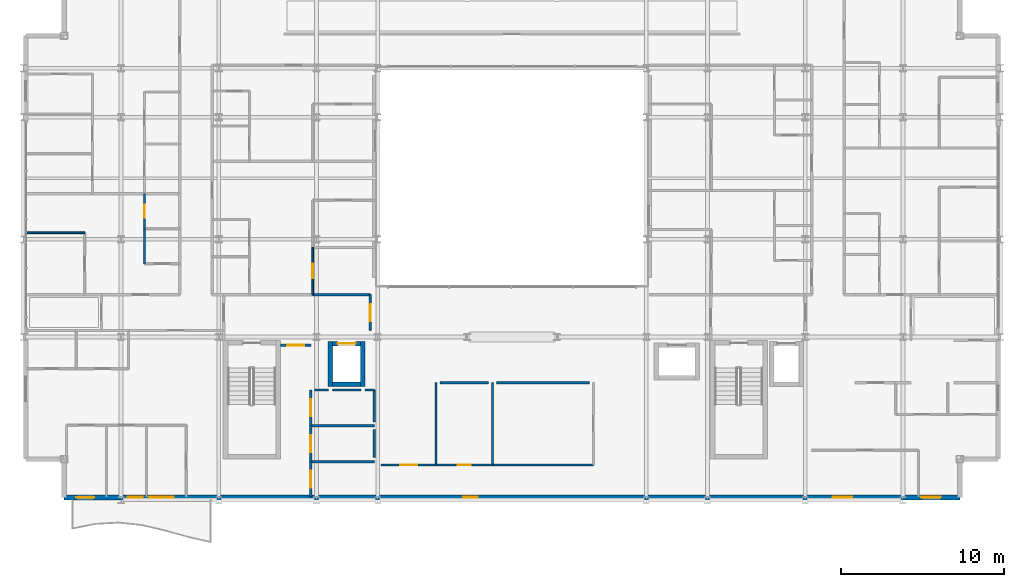
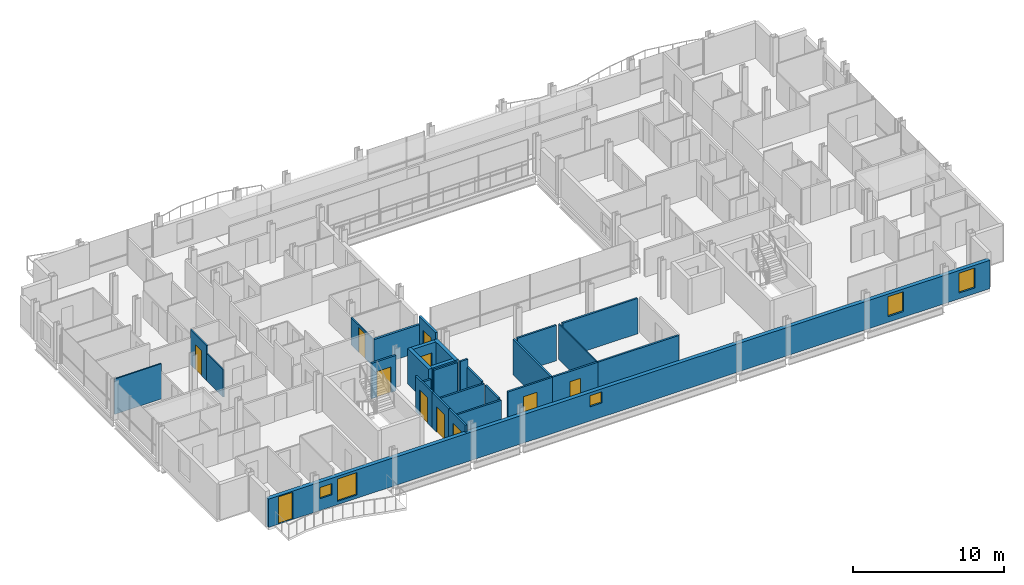
# One storey, part 32 of 40: 29 walls, 11 doors, 5 windows, 16 openings.
"""IFC4 building model written with IfcOpenShell, lengths in metres."""

from ifc_helpers import new_model, si_unit, direction, frame, frame_2d, origin, place, context, subcontext, project, spatial, rectangle, extrude, material, layer, layer_set, type_object, element, fill, save


model = new_model("IFC4")

# Units and contexts
model_context = context("Model", 3, precision=1e-05, world=origin(), true_north=direction((0.0, 1.0)))
body_context = subcontext(model_context, "Body", "Model", "MODEL_VIEW")
ifc_project = project(units=[si_unit("LENGTHUNIT", "METRE"), si_unit("AREAUNIT", "SQUARE_METRE"), si_unit("VOLUMEUNIT", "CUBIC_METRE"), si_unit("PLANEANGLEUNIT", "RADIAN"), si_unit("MASSUNIT", "GRAM", prefix="KILO")], contexts=[model_context])

# Site, building, storey
site_placement = place(None, origin())
site = spatial("IfcSite", under=ifc_project, at=site_placement, CompositionType="ELEMENT")
building_placement = place(site_placement, origin())
building = spatial("IfcBuilding", under=site, at=building_placement, Name="Brevholm Reach", CompositionType="ELEMENT")
storey_placement = place(building_placement, frame((0.0, 0.0, 131.39990234375)))
storey = spatial("IfcBuildingStorey", under=building, at=storey_placement, Name="L39", CompositionType="ELEMENT", Elevation=131.39990234375)

# Walls
ifc_material_1 = material(Name="Concrete C50/60", Category="concrete")
ifc_layer_1 = layer(ifc_material_1, 0.280029296875)
ifc_layer_set_1 = layer_set([ifc_layer_1], Name="Concrete C50/60")
wall_type_1 = type_object("IfcWallType", Name="WAL-COR-280", PredefinedType="SHEAR", material=ifc_layer_set_1)
for number, where, z_axis, x_axis, name in (
    (1, (18.85009765625, 6.9599609375, 0.0), (0.0, 0.0, 1.0), (0.0, 1.0, 0.0), "L39 Lift FFL-1 Shaft Wall W"),
    (2, (20.85009765625, 6.9599609375, 0.0), (0.0, 0.0, 1.0), (0.0, 1.0, 0.0), "L39 Lift FFL-1 Shaft Wall E"),
):
    element("IfcWall", number, at=place(storey_placement, frame(where, z_axis=z_axis, x_axis=x_axis)), inside=storey, type_object=wall_type_1, Name=name, PredefinedType="SHEAR", context=body_context, shape_type="SweptSolid", body=[
        extrude(rectangle(XDim=2.780029296875, YDim=0.280029296875, at=frame_2d((1.39013671875, 0.0))), origin(), (0.0, 0.0, 1.0), 2.85009765625),
    ])
wall_1_placement = place(storey_placement, frame((18.989990234375, 7.10009765625, 0.0), z_axis=(0.0, 0.0, 1.0), x_axis=(1.0, 0.0, 0.0)))
element("IfcWall", 3, at=wall_1_placement, inside=storey, type_object=wall_type_1, Name="L39 Lift FFL-1 Shaft Wall S", PredefinedType="SHEAR", context=body_context, shape_type="SweptSolid", body=[
    extrude(rectangle(XDim=1.719970703125, YDim=0.280029296875, at=frame_2d((0.85986328125, 0.0))), origin(), (0.0, 0.0, 1.0), 2.85009765625),
])

# Wall, opening, door
wall_2_placement = place(storey_placement, frame((18.989990234375, 9.60009765625, 0.0), z_axis=(0.0, 0.0, 1.0), x_axis=(1.0, 0.0, 0.0)))
wall_2 = element("IfcWall", 4, at=wall_2_placement, inside=storey, type_object=wall_type_1, Name="L39 Lift FFL-1 Shaft Wall N", PredefinedType="SHEAR", context=body_context, shape_type="SweptSolid", body=[
    extrude(rectangle(XDim=1.719970703125, YDim=0.280029296875, at=frame_2d((0.85986328125, 0.0))), origin(), (0.0, 0.0, 1.0), 2.85009765625),
])
opening_1_placement = place(wall_2_placement, frame((0.31005859375, 0.0, 0.0)))
opening_1 = element("IfcOpeningElement", 5, at=opening_1_placement, cuts=wall_2, Name="Opening LD-FFL-1", PredefinedType="OPENING", context=body_context, shape_type="SweptSolid", body=[
    extrude(rectangle(XDim=1.10009765625, YDim=2.06005859375, at=frame_2d((0.550048828125, 1.030029296875))), frame((0.0, 0.14990234375, 0.0), z_axis=(0.0, -1.0, 0.0), x_axis=(1.0, 0.0, 0.0)), (0.0, 0.0, 1.0), 0.300048828125),
])
ifc_material_2 = material(Name="Brushed Stainless Steel Fire-Rated Sliding Lift Door", Category="steel")
door_type_1 = type_object("IfcDoorType", Name="DOR-LFT-1100", OperationType="NOTDEFINED", PredefinedType="DOOR", material=ifc_material_2)
door_1_placement = place(opening_1_placement, origin())
door_1 = element("IfcDoor", 6, at=door_1_placement, inside=storey, type_object=door_type_1, Name="L39 Lift FFL-1 Sliding Landing Door", OperationType="SLIDING_TO_LEFT", OverallHeight=2.06005859375, OverallWidth=1.10009765625, PredefinedType="DOOR", context=body_context, shape_type="SweptSolid", body=[
    extrude(rectangle(XDim=1.10009765625, YDim=2.06005859375, at=frame_2d((0.550048828125, 1.030029296875))), frame((0.0, 0.02490234375, 0.0), z_axis=(0.0, -1.0, 0.0), x_axis=(1.0, 0.0, 0.0)), (0.0, 0.0, 1.0), 0.050048828125),
])
fill(opening_1, door_1)

# Wall, openings, door, windows
ifc_material_3 = material(Name="Concrete C40/50", Category="concrete")
ifc_layer_2 = layer(ifc_material_3, 0.300048828125)
ifc_layer_set_2 = layer_set([ifc_layer_2], Name="Concrete C40/50")
wall_type_2 = type_object("IfcWallType", Name="WAL-EXT-300", PredefinedType="STANDARD", material=ifc_layer_set_2)
wall_3_placement = place(storey_placement, frame((2.5, 0.14990234375, 0.0), z_axis=(0.0, 0.0, 1.0), x_axis=(1.0, 0.0, 0.0)))
wall_3 = element("IfcWall", 7, at=wall_3_placement, inside=storey, type_object=wall_type_2, Name="L39 Facade Wall WAL-L39-S", PredefinedType="STANDARD", context=body_context, shape_type="SweptSolid", body=[
    extrude(rectangle(XDim=55.0, YDim=0.300048828125, at=frame_2d((27.5, 0.0))), origin(), (0.0, 0.0, 1.0), 2.28564453125),
])
opening_2_placement = place(wall_3_placement, frame((0.75, 0.0, 0.0)))
opening_2 = element("IfcOpeningElement", 8, at=opening_2_placement, cuts=wall_3, Name="Opening BD-01", PredefinedType="OPENING", context=body_context, shape_type="SweptSolid", body=[
    extrude(rectangle(XDim=1.10009765625, YDim=2.199951171875, at=frame_2d((0.550048828125, 1.10009765625))), frame((0.0, 0.159912109375, 0.0), z_axis=(0.0, -1.0, 0.0), x_axis=(1.0, 0.0, 0.0)), (0.0, 0.0, 1.0), 0.320068359375),
])
opening_3_placement = place(wall_3_placement, frame((5.22998046875, 0.0, 0.264892578125)))
opening_3 = element("IfcOpeningElement", 9, at=opening_3_placement, cuts=wall_3, Name="Opening WN-05", PredefinedType="OPENING", context=body_context, shape_type="SweptSolid", body=[
    extrude(rectangle(XDim=1.5, YDim=1.800048828125, at=frame_2d((0.75, 0.89990234375))), frame((0.0, 0.159912109375, 0.0), z_axis=(0.0, -1.0, 0.0), x_axis=(1.0, 0.0, 0.0)), (0.0, 0.0, 1.0), 0.320068359375),
])
opening_4_placement = place(wall_3_placement, frame((24.5, 0.0, 1.14990234375)))
opening_4 = element("IfcOpeningElement", 10, at=opening_4_placement, cuts=wall_3, Name="Opening WN-09", PredefinedType="OPENING", context=body_context, shape_type="SweptSolid", body=[
    extrude(rectangle(XDim=0.89990234375, YDim=0.89990234375, at=frame_2d((0.449951171875, 0.449951171875))), frame((0.0, 0.159912109375, 0.0), z_axis=(0.0, -1.0, 0.0), x_axis=(1.0, 0.0, 0.0)), (0.0, 0.0, 1.0), 0.320068359375),
])
opening_5_placement = place(wall_3_placement, frame((47.199951171875, 0.0, 0.465087890625)))
opening_5 = element("IfcOpeningElement", 11, at=opening_5_placement, cuts=wall_3, Name="Opening WN-08", PredefinedType="OPENING", context=body_context, shape_type="SweptSolid", body=[
    extrude(rectangle(XDim=1.199951171875, YDim=1.60009765625, at=frame_2d((0.60009765625, 0.800048828125))), frame((0.0, 0.159912109375, 0.0), z_axis=(0.0, -1.0, 0.0), x_axis=(1.0, 0.0, 0.0)), (0.0, 0.0, 1.0), 0.320068359375),
])
opening_6_placement = place(wall_3_placement, frame((52.6298828125, 0.0, 0.465087890625)))
opening_6 = element("IfcOpeningElement", 12, at=opening_6_placement, cuts=wall_3, Name="Opening WN-08", PredefinedType="OPENING", context=body_context, shape_type="SweptSolid", body=[
    extrude(rectangle(XDim=1.199951171875, YDim=1.60009765625, at=frame_2d((0.60009765625, 0.800048828125))), frame((0.0, 0.159912109375, 0.0), z_axis=(0.0, -1.0, 0.0), x_axis=(1.0, 0.0, 0.0)), (0.0, 0.0, 1.0), 0.320068359375),
])
opening_7_placement = place(wall_3_placement, frame((3.919189453125, 0.0, 0.949951171875)))
opening_7 = element("IfcOpeningElement", 13, at=opening_7_placement, cuts=wall_3, Name="Opening WN-09", PredefinedType="OPENING", context=body_context, shape_type="SweptSolid", body=[
    extrude(rectangle(XDim=0.89990234375, YDim=0.89990234375, at=frame_2d((0.449951171875, 0.449951171875))), frame((0.0, 0.159912109375, 0.0), z_axis=(0.0, -1.0, 0.0), x_axis=(1.0, 0.0, 0.0)), (0.0, 0.0, 1.0), 0.320068359375),
])
ifc_material_4 = material(Name="Dark Anodised Aluminium and Triple-Glazed Glass", Category="aluminium")
door_type_2 = type_object("IfcDoorType", Name="DOR-BALC-1100", OperationType="NOTDEFINED", PredefinedType="DOOR", material=ifc_material_4)
door_2_placement = place(opening_2_placement, origin())
door_2 = element("IfcDoor", 14, at=door_2_placement, inside=storey, type_object=door_type_2, Name="L39 Exterior Door DOR-L39-BL-SW", OperationType="SINGLE_SWING_RIGHT", OverallHeight=2.199951171875, OverallWidth=1.10009765625, PredefinedType="DOOR", context=body_context, shape_type="SweptSolid", body=[
    extrude(rectangle(XDim=1.10009765625, YDim=2.199951171875, at=frame_2d((0.550048828125, 1.10009765625))), frame((0.0, 0.02490234375, 0.0), z_axis=(0.0, -1.0, 0.0), x_axis=(1.0, 0.0, 0.0)), (0.0, 0.0, 1.0), 0.050048828125),
])
fill(opening_2, door_2)
ifc_material_5 = material(Name="Dark Anodised Aluminium and Solar-Control IGU Glass", Category="aluminium")
window_type_1 = type_object("IfcWindowType", Name="WIN-POR-0900", PartitioningType="SINGLE_PANEL", PredefinedType="WINDOW", material=ifc_material_5)
window_1_placement = place(opening_4_placement, origin())
window_1 = element("IfcWindow", 15, at=window_1_placement, inside=storey, type_object=window_type_1, Name="L39 Window WIN-L39-S-POR", OverallHeight=0.89990234375, OverallWidth=0.89990234375, PartitioningType="SINGLE_PANEL", PredefinedType="WINDOW", context=body_context, shape_type="SweptSolid", body=[
    extrude(rectangle(XDim=0.89990234375, YDim=0.89990234375, at=frame_2d((0.449951171875, 0.449951171875))), frame((0.0, 0.030029296875, 0.0), z_axis=(0.0, -1.0, 0.0), x_axis=(1.0, 0.0, 0.0)), (0.0, 0.0, 1.0), 0.06005859375),
])
fill(opening_4, window_1)
window_2_placement = place(opening_7_placement, origin())
window_2 = element("IfcWindow", 16, at=window_2_placement, inside=storey, type_object=window_type_1, Name="L39 Bedroom Window 045", OverallHeight=0.89990234375, OverallWidth=0.89990234375, PartitioningType="SINGLE_PANEL", PredefinedType="WINDOW", context=body_context, shape_type="SweptSolid", body=[
    extrude(rectangle(XDim=0.89990234375, YDim=0.89990234375, at=frame_2d((0.449951171875, 0.449951171875))), frame((0.0, 0.030029296875, 0.0), z_axis=(0.0, -1.0, 0.0), x_axis=(1.0, 0.0, 0.0)), (0.0, 0.0, 1.0), 0.06005859375),
])
fill(opening_7, window_2)
ifc_material_6 = material(Name="Dark Anodised Aluminium and Solar-Control IGU Glass", Category="aluminium")
window_type_2 = type_object("IfcWindowType", Name="WIN-RES-1200", PartitioningType="SINGLE_PANEL", PredefinedType="WINDOW", material=ifc_material_6)
window_3_placement = place(opening_5_placement, origin())
window_3 = element("IfcWindow", 17, at=window_3_placement, inside=storey, type_object=window_type_2, Name="L39 Window WIN-L39-S-E1", OverallHeight=1.60009765625, OverallWidth=1.199951171875, PartitioningType="SINGLE_PANEL", PredefinedType="WINDOW", context=body_context, shape_type="SweptSolid", body=[
    extrude(rectangle(XDim=1.199951171875, YDim=1.60009765625, at=frame_2d((0.60009765625, 0.800048828125))), frame((0.0, 0.030029296875, 0.0), z_axis=(0.0, -1.0, 0.0), x_axis=(1.0, 0.0, 0.0)), (0.0, 0.0, 1.0), 0.06005859375),
])
fill(opening_5, window_3)
window_4_placement = place(opening_6_placement, origin())
window_4 = element("IfcWindow", 18, at=window_4_placement, inside=storey, type_object=window_type_2, Name="L39 Window WIN-L39-S-E2", OverallHeight=1.60009765625, OverallWidth=1.199951171875, PartitioningType="SINGLE_PANEL", PredefinedType="WINDOW", context=body_context, shape_type="SweptSolid", body=[
    extrude(rectangle(XDim=1.199951171875, YDim=1.60009765625, at=frame_2d((0.60009765625, 0.800048828125))), frame((0.0, 0.030029296875, 0.0), z_axis=(0.0, -1.0, 0.0), x_axis=(1.0, 0.0, 0.0)), (0.0, 0.0, 1.0), 0.06005859375),
])
fill(opening_6, window_4)
ifc_material_7 = material(Name="Dark Anodised Aluminium and Solar-Control IGU Glass", Category="aluminium")
window_type_3 = type_object("IfcWindowType", Name="WIN-RES-1500", PartitioningType="SINGLE_PANEL", PredefinedType="WINDOW", material=ifc_material_7)
window_5_placement = place(opening_3_placement, origin())
window_5 = element("IfcWindow", 19, at=window_5_placement, inside=storey, type_object=window_type_3, Name="L39 Window WIN-L39-S-W1", OverallHeight=1.800048828125, OverallWidth=1.5, PartitioningType="SINGLE_PANEL", PredefinedType="WINDOW", context=body_context, shape_type="SweptSolid", body=[
    extrude(rectangle(XDim=1.5, YDim=1.800048828125, at=frame_2d((0.75, 0.89990234375))), frame((0.0, 0.030029296875, 0.0), z_axis=(0.0, -1.0, 0.0), x_axis=(1.0, 0.0, 0.0)), (0.0, 0.0, 1.0), 0.06005859375),
])
fill(opening_3, window_5)

# Wall
ifc_material_8 = material(Name="Moisture-Resistant Acoustic Gypsum Stud Partition 100 mm", Category="gypsum")
ifc_layer_3 = layer(ifc_material_8, 0.10009765625)
ifc_layer_set_3 = layer_set([ifc_layer_3], Name="Moisture-Resistant Acoustic Gypsum Stud Partition 100 mm")
wall_type_3 = type_object("IfcWallType", Name="WAL-PRT-100", PredefinedType="PARTITIONING", material=ifc_layer_set_3)
wall_4_placement = place(storey_placement, frame((28.800048828125, 2.154052734375, 0.0), z_axis=(0.0, 0.0, 1.0), x_axis=(0.0, 1.0, 0.0)))
element("IfcWall", 20, at=wall_4_placement, inside=storey, type_object=wall_type_3, Name="L39 Internal Partition 006", PredefinedType="PARTITIONING", context=body_context, shape_type="SweptSolid", body=[
    extrude(rectangle(XDim=5.0458984375, YDim=0.10009765625, at=frame_2d((2.52294921875, 0.0))), origin(), (0.0, 0.0, 1.0), 2.85009765625),
])

# Wall, opening, door
wall_5_placement = place(storey_placement, frame((7.43798828125, 16.64990234375, 0.0), z_axis=(0.0, 0.0, 1.0), x_axis=(0.0, 1.0, 0.0)))
wall_5 = element("IfcWall", 21, at=wall_5_placement, inside=storey, type_object=wall_type_3, Name="L39 Internal Partition 089", PredefinedType="PARTITIONING", context=body_context, shape_type="SweptSolid", body=[
    extrude(rectangle(XDim=2.150146484375, YDim=0.10009765625, at=frame_2d((1.0751953125, 0.0))), origin(), (0.0, 0.0, 1.0), 2.85009765625),
])
opening_8_placement = place(wall_5_placement, frame((0.6650390625, 0.0, 0.0)))
opening_8 = element("IfcOpeningElement", 22, at=opening_8_placement, cuts=wall_5, Name="Opening ID-03", PredefinedType="OPENING", context=body_context, shape_type="SweptSolid", body=[
    extrude(rectangle(XDim=0.820068359375, YDim=2.02001953125, at=frame_2d((0.41015625, 1.010009765625))), frame((0.0, 0.06005859375, 0.0), z_axis=(0.0, -1.0, 0.0), x_axis=(1.0, 0.0, 0.0)), (0.0, 0.0, 1.0), 0.1201171875),
])
ifc_material_9 = material(Name="Moisture-Resistant Painted Timber Internal Bathroom Door", Category="wood")
door_type_3 = type_object("IfcDoorType", Name="DOR-BATH-820", OperationType="NOTDEFINED", PredefinedType="DOOR", material=ifc_material_9)
door_3_placement = place(opening_8_placement, origin())
door_3 = element("IfcDoor", 23, at=door_3_placement, inside=storey, type_object=door_type_3, Name="L39 Internal Door 033", OperationType="SINGLE_SWING_RIGHT", OverallHeight=2.02001953125, OverallWidth=0.820068359375, PredefinedType="DOOR", context=body_context, shape_type="SweptSolid", body=[
    extrude(rectangle(XDim=0.820068359375, YDim=2.02001953125, at=frame_2d((0.41015625, 1.010009765625))), frame((0.0, 0.02490234375, 0.0), z_axis=(0.0, -1.0, 0.0), x_axis=(1.0, 0.0, 0.0)), (0.0, 0.0, 1.0), 0.050048828125),
])
fill(opening_8, door_3)

# Walls
wall_6_placement = place(storey_placement, frame((7.43798828125, 14.5, 0.0), z_axis=(0.0, 0.0, 1.0), x_axis=(0.0, 1.0, 0.0)))
element("IfcWall", 24, at=wall_6_placement, inside=storey, type_object=wall_type_3, Name="L39 Internal Partition 092", PredefinedType="PARTITIONING", context=body_context, shape_type="SweptSolid", body=[
    extrude(rectangle(XDim=2.14599609375, YDim=0.10009765625, at=frame_2d((1.072998046875, 0.0))), origin(), (0.0, 0.0, 1.0), 2.204833984375),
])
wall_7_placement = place(storey_placement, frame((0.199951171875, 16.39990234375, 0.0), z_axis=(0.0, 0.0, 1.0), x_axis=(1.0, 0.0, 0.0)))
element("IfcWall", 25, at=wall_7_placement, inside=storey, type_object=wall_type_3, Name="L39 Internal Partition 094", PredefinedType="PARTITIONING", context=body_context, shape_type="SweptSolid", body=[
    extrude(rectangle(XDim=3.572021484375, YDim=0.10009765625, at=frame_2d((1.7861328125, 0.0))), origin(), (0.0, 0.0, 1.0), 2.85009765625),
])

# Wall, opening, door
wall_8_placement = place(storey_placement, frame((17.76904296875, 12.60400390625, 0.0), z_axis=(0.0, 0.0, 1.0), x_axis=(0.0, 1.0, 0.0)))
wall_8 = element("IfcWall", 26, at=wall_8_placement, inside=storey, type_object=wall_type_3, Name="L39 Internal Partition 112", PredefinedType="PARTITIONING", context=body_context, shape_type="SweptSolid", body=[
    extrude(rectangle(XDim=2.89599609375, YDim=0.10009765625, at=frame_2d((1.447998046875, 0.0))), origin(), (0.0, 0.0, 1.0), 2.204833984375),
])
opening_9_placement = place(wall_8_placement, frame((1.008056640625, 0.0, 0.0)))
opening_9 = element("IfcOpeningElement", 27, at=opening_9_placement, cuts=wall_8, Name="Opening ID-01", PredefinedType="OPENING", context=body_context, shape_type="SweptSolid", body=[
    extrude(rectangle(XDim=0.8798828125, YDim=2.0400390625, at=frame_2d((0.43994140625, 1.02001953125))), frame((0.0, 0.06005859375, 0.0), z_axis=(0.0, -1.0, 0.0), x_axis=(1.0, 0.0, 0.0)), (0.0, 0.0, 1.0), 0.1201171875),
])
ifc_material_10 = material(Name="Lacquered Ash Solid-Core Acoustic Internal Door", Category="timber")
door_type_4 = type_object("IfcDoorType", Name="DOR-INT-880", OperationType="NOTDEFINED", PredefinedType="DOOR", material=ifc_material_10)
door_4_placement = place(opening_9_placement, origin())
door_4 = element("IfcDoor", 28, at=door_4_placement, inside=storey, type_object=door_type_4, Name="L39 Internal Door 043", OperationType="SINGLE_SWING_RIGHT", OverallHeight=2.0400390625, OverallWidth=0.8798828125, PredefinedType="DOOR", context=body_context, shape_type="SweptSolid", body=[
    extrude(rectangle(XDim=0.8798828125, YDim=2.0400390625, at=frame_2d((0.43994140625, 1.02001953125))), frame((0.0, 0.02490234375, 0.0), z_axis=(0.0, -1.0, 0.0), x_axis=(1.0, 0.0, 0.0)), (0.0, 0.0, 1.0), 0.050048828125),
])
fill(opening_9, door_4)

ifc_material_11 = material(Name="Twin-Stud Acoustic Fire-Rated Gypsum Partition 140 mm", Category="gypsum")
ifc_layer_4 = layer(ifc_material_11, 0.139892578125)
ifc_layer_set_4 = layer_set([ifc_layer_4], Name="Twin-Stud Acoustic Fire-Rated Gypsum Partition 140 mm")
wall_type_4 = type_object("IfcWallType", Name="WAL-PRT-140", PredefinedType="PARTITIONING", material=ifc_layer_set_4)
wall_9_placement = place(storey_placement, frame((21.949951171875, 2.14990234375, 0.0), z_axis=(0.0, 0.0, 1.0), x_axis=(1.0, 0.0, 0.0)))
wall_9 = element("IfcWall", 29, at=wall_9_placement, inside=storey, type_object=wall_type_4, Name="L39 Internal Partition 002", PredefinedType="PARTITIONING", context=body_context, shape_type="SweptSolid", body=[
    extrude(rectangle(XDim=3.4013671875, YDim=0.139892578125, at=frame_2d((1.70068359375, 0.0))), origin(), (0.0, 0.0, 1.0), 2.85009765625),
])
opening_10_placement = place(wall_9_placement, frame((1.175537109375, 0.0, 0.0)))
opening_10 = element("IfcOpeningElement", 30, at=opening_10_placement, cuts=wall_9, Name="Opening FD-01", PredefinedType="OPENING", context=body_context, shape_type="SweptSolid", body=[
    extrude(rectangle(XDim=1.050048828125, YDim=2.06005859375, at=frame_2d((0.52490234375, 1.030029296875))), frame((0.0, 0.079833984375, 0.0), z_axis=(0.0, -1.0, 0.0), x_axis=(1.0, 0.0, 0.0)), (0.0, 0.0, 1.0), 0.159912109375),
])
ifc_material_12 = material(Name="Hardwood-Lipped Steel-Core Fire and Smoke Door", Category="steel")
door_type_5 = type_object("IfcDoorType", Name="DOR-INT-FD60S", OperationType="NOTDEFINED", PredefinedType="DOOR", material=ifc_material_12)
door_5_placement = place(opening_10_placement, origin())
door_5 = element("IfcDoor", 31, at=door_5_placement, inside=storey, type_object=door_type_5, Name="L39 Internal Door 002", OperationType="SINGLE_SWING_LEFT", OverallHeight=2.06005859375, OverallWidth=1.050048828125, PredefinedType="DOOR", context=body_context, shape_type="SweptSolid", body=[
    extrude(rectangle(XDim=1.050048828125, YDim=2.06005859375, at=frame_2d((0.52490234375, 1.030029296875))), frame((0.0, 0.02490234375, 0.0), z_axis=(0.0, -1.0, 0.0), x_axis=(1.0, 0.0, 0.0)), (0.0, 0.0, 1.0), 0.050048828125),
])
fill(opening_10, door_5)

wall_10_placement = place(storey_placement, frame((25.332763671875, 2.14990234375, 0.0), z_axis=(0.0, 0.0, 1.0), x_axis=(1.0, 0.0, 0.0)))
wall_10 = element("IfcWall", 32, at=wall_10_placement, inside=storey, type_object=wall_type_4, Name="L39 Internal Partition 003", PredefinedType="PARTITIONING", context=body_context, shape_type="SweptSolid", body=[
    extrude(rectangle(XDim=3.478515625, YDim=0.139892578125, at=frame_2d((1.7392578125, 0.0))), origin(), (0.0, 0.0, 1.0), 2.85009765625),
])
opening_11_placement = place(wall_10_placement, frame((1.329345703125, 0.0, 0.0)))
opening_11 = element("IfcOpeningElement", 33, at=opening_11_placement, cuts=wall_10, Name="Opening ID-02", PredefinedType="OPENING", context=body_context, shape_type="SweptSolid", body=[
    extrude(rectangle(XDim=0.820068359375, YDim=2.02001953125, at=frame_2d((0.41015625, 1.010009765625))), frame((0.0, 0.079833984375, 0.0), z_axis=(0.0, -1.0, 0.0), x_axis=(1.0, 0.0, 0.0)), (0.0, 0.0, 1.0), 0.159912109375),
])
ifc_material_13 = material(Name="Moisture-Resistant Painted Timber Fire-Rated Riser and Service Door", Category="wood")
door_type_6 = type_object("IfcDoorType", Name="DOR-SRV-820", OperationType="NOTDEFINED", PredefinedType="DOOR", material=ifc_material_13)
door_6_placement = place(opening_11_placement, origin())
door_6 = element("IfcDoor", 34, at=door_6_placement, inside=storey, type_object=door_type_6, Name="L39 Internal Door 003", OperationType="SINGLE_SWING_RIGHT", OverallHeight=2.02001953125, OverallWidth=0.820068359375, PredefinedType="DOOR", context=body_context, shape_type="SweptSolid", body=[
    extrude(rectangle(XDim=0.820068359375, YDim=2.02001953125, at=frame_2d((0.41015625, 1.010009765625))), frame((0.0, 0.02490234375, 0.0), z_axis=(0.0, -1.0, 0.0), x_axis=(1.0, 0.0, 0.0)), (0.0, 0.0, 1.0), 0.050048828125),
])
fill(opening_11, door_6)

# Walls
wall_11_placement = place(storey_placement, frame((28.792724609375, 2.14990234375, 0.0), z_axis=(0.0, 0.0, 1.0), x_axis=(1.0, 0.0, 0.0)))
element("IfcWall", 35, at=wall_11_placement, inside=storey, type_object=wall_type_4, Name="L39 Internal Partition 004", PredefinedType="PARTITIONING", context=body_context, shape_type="SweptSolid", body=[
    extrude(rectangle(XDim=6.203369140625, YDim=0.139892578125, at=frame_2d((3.1015625, 0.0))), origin(), (0.0, 0.0, 1.0), 2.85009765625),
])
wall_12_placement = place(storey_placement, frame((25.340087890625, 2.154052734375, 0.0), z_axis=(0.0, 0.0, 1.0), x_axis=(0.0, 1.0, 0.0)))
element("IfcWall", 36, at=wall_12_placement, inside=storey, type_object=wall_type_4, Name="L39 Internal Partition 005", PredefinedType="PARTITIONING", context=body_context, shape_type="SweptSolid", body=[
    extrude(rectangle(XDim=5.0458984375, YDim=0.139892578125, at=frame_2d((2.52294921875, 0.0))), origin(), (0.0, 0.0, 1.0), 2.85009765625),
])

# Wall, opening, door
wall_13_placement = place(storey_placement, frame((17.64990234375, 0.179931640625, 0.0), z_axis=(0.0, 0.0, 1.0), x_axis=(0.0, 1.0, 0.0)))
wall_13 = element("IfcWall", 37, at=wall_13_placement, inside=storey, type_object=wall_type_4, Name="L39 Internal Partition 007", PredefinedType="PARTITIONING", context=body_context, shape_type="SweptSolid", body=[
    extrude(rectangle(XDim=2.181396484375, YDim=0.139892578125, at=frame_2d((1.0908203125, 0.0))), origin(), (0.0, 0.0, 1.0), 2.85009765625),
])
opening_12_placement = place(wall_13_placement, frame((0.565673828125, 0.0, 0.0)))
opening_12 = element("IfcOpeningElement", 38, at=opening_12_placement, cuts=wall_13, Name="Opening FD-01", PredefinedType="OPENING", context=body_context, shape_type="SweptSolid", body=[
    extrude(rectangle(XDim=1.050048828125, YDim=2.06005859375, at=frame_2d((0.52490234375, 1.030029296875))), frame((0.0, 0.079833984375, 0.0), z_axis=(0.0, -1.0, 0.0), x_axis=(1.0, 0.0, 0.0)), (0.0, 0.0, 1.0), 0.159912109375),
])
door_7_placement = place(opening_12_placement, origin())
door_7 = element("IfcDoor", 39, at=door_7_placement, inside=storey, type_object=door_type_5, Name="L39 Internal Door 004", OperationType="SINGLE_SWING_LEFT", OverallHeight=2.06005859375, OverallWidth=1.050048828125, PredefinedType="DOOR", context=body_context, shape_type="SweptSolid", body=[
    extrude(rectangle(XDim=1.050048828125, YDim=2.06005859375, at=frame_2d((0.52490234375, 1.030029296875))), frame((0.0, 0.02490234375, 0.0), z_axis=(0.0, -1.0, 0.0), x_axis=(1.0, 0.0, 0.0)), (0.0, 0.0, 1.0), 0.050048828125),
])
fill(opening_12, door_7)

wall_14_placement = place(storey_placement, frame((17.64990234375, 2.3427734375, 0.0), z_axis=(0.0, 0.0, 1.0), x_axis=(0.0, 1.0, 0.0)))
wall_14 = element("IfcWall", 40, at=wall_14_placement, inside=storey, type_object=wall_type_4, Name="L39 Internal Partition 008", PredefinedType="PARTITIONING", context=body_context, shape_type="SweptSolid", body=[
    extrude(rectangle(XDim=2.218505859375, YDim=0.139892578125, at=frame_2d((1.109375, 0.0))), origin(), (0.0, 0.0, 1.0), 2.85009765625),
])
opening_13_placement = place(wall_14_placement, frame((0.584228515625, 0.0, 0.0)))
opening_13 = element("IfcOpeningElement", 41, at=opening_13_placement, cuts=wall_14, Name="Opening FD-01", PredefinedType="OPENING", context=body_context, shape_type="SweptSolid", body=[
    extrude(rectangle(XDim=1.050048828125, YDim=2.06005859375, at=frame_2d((0.52490234375, 1.030029296875))), frame((0.0, 0.079833984375, 0.0), z_axis=(0.0, -1.0, 0.0), x_axis=(1.0, 0.0, 0.0)), (0.0, 0.0, 1.0), 0.159912109375),
])
door_8_placement = place(opening_13_placement, origin())
door_8 = element("IfcDoor", 42, at=door_8_placement, inside=storey, type_object=door_type_5, Name="L39 Internal Door 005", OperationType="SINGLE_SWING_RIGHT", OverallHeight=2.06005859375, OverallWidth=1.050048828125, PredefinedType="DOOR", context=body_context, shape_type="SweptSolid", body=[
    extrude(rectangle(XDim=1.050048828125, YDim=2.06005859375, at=frame_2d((0.52490234375, 1.030029296875))), frame((0.0, 0.02490234375, 0.0), z_axis=(0.0, -1.0, 0.0), x_axis=(1.0, 0.0, 0.0)), (0.0, 0.0, 1.0), 0.050048828125),
])
fill(opening_13, door_8)

wall_15_placement = place(storey_placement, frame((17.64990234375, 4.542724609375, 0.0), z_axis=(0.0, 0.0, 1.0), x_axis=(0.0, 1.0, 0.0)))
wall_15 = element("IfcWall", 43, at=wall_15_placement, inside=storey, type_object=wall_type_4, Name="L39 Internal Partition 009", PredefinedType="PARTITIONING", context=body_context, shape_type="SweptSolid", body=[
    extrude(rectangle(XDim=2.218505859375, YDim=0.139892578125, at=frame_2d((1.109375, 0.0))), origin(), (0.0, 0.0, 1.0), 2.85009765625),
])
opening_14_placement = place(wall_15_placement, frame((0.584228515625, 0.0, 0.0)))
opening_14 = element("IfcOpeningElement", 44, at=opening_14_placement, cuts=wall_15, Name="Opening FD-01", PredefinedType="OPENING", context=body_context, shape_type="SweptSolid", body=[
    extrude(rectangle(XDim=1.050048828125, YDim=2.06005859375, at=frame_2d((0.52490234375, 1.030029296875))), frame((0.0, 0.079833984375, 0.0), z_axis=(0.0, -1.0, 0.0), x_axis=(1.0, 0.0, 0.0)), (0.0, 0.0, 1.0), 0.159912109375),
])
door_9_placement = place(opening_14_placement, origin())
door_9 = element("IfcDoor", 45, at=door_9_placement, inside=storey, type_object=door_type_5, Name="L39 Internal Door 006", OperationType="SINGLE_SWING_LEFT", OverallHeight=2.06005859375, OverallWidth=1.050048828125, PredefinedType="DOOR", context=body_context, shape_type="SweptSolid", body=[
    extrude(rectangle(XDim=1.050048828125, YDim=2.06005859375, at=frame_2d((0.52490234375, 1.030029296875))), frame((0.0, 0.02490234375, 0.0), z_axis=(0.0, -1.0, 0.0), x_axis=(1.0, 0.0, 0.0)), (0.0, 0.0, 1.0), 0.050048828125),
])
fill(opening_14, door_9)

# Walls
for number, where, z_axis, x_axis, name in (
    (46, (17.654052734375, 2.35009765625, 0.0), (0.0, 0.0, 1.0), (1.0, 0.0, 0.0), "L39 Internal Partition 011"),
    (47, (17.654052734375, 4.550048828125, 0.0), (0.0, 0.0, 1.0), (1.0, 0.0, 0.0), "L39 Internal Partition 012"),
):
    element("IfcWall", number, at=place(storey_placement, frame(where, z_axis=z_axis, x_axis=x_axis)), inside=storey, type_object=wall_type_4, Name=name, PredefinedType="PARTITIONING", context=body_context, shape_type="SweptSolid", body=[
        extrude(rectangle(XDim=3.89599609375, YDim=0.139892578125, at=frame_2d((1.947998046875, 0.0))), origin(), (0.0, 0.0, 1.0), 2.204833984375),
    ])
wall_16_placement = place(storey_placement, frame((25.580078125, 7.199951171875, 0.0), z_axis=(0.0, 0.0, 1.0), x_axis=(1.0, 0.0, 0.0)))
element("IfcWall", 48, at=wall_16_placement, inside=storey, type_object=wall_type_4, Name="L39 Internal Partition 156", PredefinedType="PARTITIONING", context=body_context, shape_type="SweptSolid", body=[
    extrude(rectangle(XDim=2.97998046875, YDim=0.139892578125, at=frame_2d((1.489990234375, 0.0))), origin(), (0.0, 0.0, 1.0), 2.85009765625),
])
wall_17_placement = place(storey_placement, frame((29.0400390625, 7.199951171875, 0.0), z_axis=(0.0, 0.0, 1.0), x_axis=(1.0, 0.0, 0.0)))
element("IfcWall", 49, at=wall_17_placement, inside=storey, type_object=wall_type_4, Name="L39 Internal Partition 157", PredefinedType="PARTITIONING", context=body_context, shape_type="SweptSolid", body=[
    extrude(rectangle(XDim=5.719970703125, YDim=0.139892578125, at=frame_2d((2.85986328125, 0.0))), origin(), (0.0, 0.0, 1.0), 2.85009765625),
])
wall_18_placement = place(storey_placement, frame((21.550048828125, 2.590087890625, 0.0), z_axis=(0.0, 0.0, 1.0), x_axis=(0.0, 1.0, 0.0)))
element("IfcWall", 50, at=wall_18_placement, inside=storey, type_object=wall_type_4, Name="L39 Internal Partition 158", PredefinedType="PARTITIONING", context=body_context, shape_type="SweptSolid", body=[
    extrude(rectangle(XDim=1.719970703125, YDim=0.139892578125, at=frame_2d((0.85986328125, 0.0))), origin(), (0.0, 0.0, 1.0), 2.204833984375),
])
wall_19_placement = place(storey_placement, frame((21.550048828125, 4.7900390625, 0.0), z_axis=(0.0, 0.0, 1.0), x_axis=(0.0, 1.0, 0.0)))
element("IfcWall", 51, at=wall_19_placement, inside=storey, type_object=wall_type_4, Name="L39 Internal Partition 159", PredefinedType="PARTITIONING", context=body_context, shape_type="SweptSolid", body=[
    extrude(rectangle(XDim=1.9599609375, YDim=0.139892578125, at=frame_2d((0.97998046875, 0.0))), origin(), (0.0, 0.0, 1.0), 2.204833984375),
])
wall_20_placement = place(storey_placement, frame((20.9658203125, 6.75, 0.0), z_axis=(0.0, 0.0, 1.0), x_axis=(1.0, 0.0, 0.0)))
element("IfcWall", 52, at=wall_20_placement, inside=storey, type_object=wall_type_4, Name="L39 Internal Partition 160", PredefinedType="PARTITIONING", context=body_context, shape_type="SweptSolid", body=[
    extrude(rectangle(XDim=0.584228515625, YDim=0.139892578125, at=frame_2d((0.2919921875, 0.0))), origin(), (0.0, 0.0, 1.0), 2.85009765625),
])
wall_21_placement = place(storey_placement, frame((18.9658203125, 6.75, 0.0), z_axis=(0.0, 0.0, 1.0), x_axis=(1.0, 0.0, 0.0)))
element("IfcWall", 53, at=wall_21_placement, inside=storey, type_object=wall_type_4, Name="L39 Internal Partition 161", PredefinedType="PARTITIONING", context=body_context, shape_type="SweptSolid", body=[
    extrude(rectangle(XDim=1.768310546875, YDim=0.139892578125, at=frame_2d((0.88427734375, 0.0))), origin(), (0.0, 0.0, 1.0), 2.85009765625),
])
wall_22_placement = place(storey_placement, frame((17.889892578125, 6.75, 0.0), z_axis=(0.0, 0.0, 1.0), x_axis=(1.0, 0.0, 0.0)))
element("IfcWall", 54, at=wall_22_placement, inside=storey, type_object=wall_type_4, Name="L39 Internal Partition 162", PredefinedType="PARTITIONING", context=body_context, shape_type="SweptSolid", body=[
    extrude(rectangle(XDim=0.84423828125, YDim=0.139892578125, at=frame_2d((0.422119140625, 0.0))), origin(), (0.0, 0.0, 1.0), 2.204833984375),
])

# Wall, opening, door
ifc_material_14 = material(Name="Twin-Frame Fire-Rated Gypsum Board and Mineral Wool 160 mm", Category="gypsum")
ifc_layer_5 = layer(ifc_material_14, 0.159912109375)
ifc_layer_set_5 = layer_set([ifc_layer_5], Name="Twin-Frame Fire-Rated Gypsum Board and Mineral Wool 160 mm")
wall_type_5 = type_object("IfcWallType", Name="WAL-PRT-160", PredefinedType="PARTITIONING", material=ifc_layer_set_5)
wall_23_placement = place(storey_placement, frame((15.800048828125, 9.5, 0.0), z_axis=(0.0, 0.0, 1.0), x_axis=(1.0, 0.0, 0.0)))
wall_23 = element("IfcWall", 55, at=wall_23_placement, inside=storey, type_object=wall_type_5, Name="L39 Internal Partition 010", PredefinedType="PARTITIONING", context=body_context, shape_type="SweptSolid", body=[
    extrude(rectangle(XDim=1.849853515625, YDim=0.159912109375, at=frame_2d((0.9248046875, 0.0))), origin(), (0.0, 0.0, 1.0), 2.85009765625),
])
opening_15_placement = place(wall_23_placement, frame((0.39990234375, 0.0, 0.0)))
opening_15 = element("IfcOpeningElement", 56, at=opening_15_placement, cuts=wall_23, Name="Opening FD-01", PredefinedType="OPENING", context=body_context, shape_type="SweptSolid", body=[
    extrude(rectangle(XDim=1.050048828125, YDim=2.06005859375, at=frame_2d((0.52490234375, 1.030029296875))), frame((0.0, 0.08984375, 0.0), z_axis=(0.0, -1.0, 0.0), x_axis=(1.0, 0.0, 0.0)), (0.0, 0.0, 1.0), 0.179931640625),
])
door_10_placement = place(opening_15_placement, origin())
door_10 = element("IfcDoor", 57, at=door_10_placement, inside=storey, type_object=door_type_5, Name="L39 Internal Door 007", OperationType="SINGLE_SWING_RIGHT", OverallHeight=2.06005859375, OverallWidth=1.050048828125, PredefinedType="DOOR", context=body_context, shape_type="SweptSolid", body=[
    extrude(rectangle(XDim=1.050048828125, YDim=2.06005859375, at=frame_2d((0.52490234375, 1.030029296875))), frame((0.0, 0.02490234375, 0.0), z_axis=(0.0, -1.0, 0.0), x_axis=(1.0, 0.0, 0.0)), (0.0, 0.0, 1.0), 0.050048828125),
])
fill(opening_15, door_10)

wall_24_placement = place(storey_placement, frame((21.300048828125, 10.388671875, 0.0), z_axis=(0.0, 0.0, 1.0), x_axis=(0.0, 1.0, 0.0)))
wall_24 = element("IfcWall", 58, at=wall_24_placement, inside=storey, type_object=wall_type_5, Name="L39 Internal Partition 019", PredefinedType="PARTITIONING", context=body_context, shape_type="SweptSolid", body=[
    extrude(rectangle(XDim=2.21142578125, YDim=0.159912109375, at=frame_2d((1.105712890625, 0.0))), origin(), (0.0, 0.0, 1.0), 2.85009765625),
])
opening_16_placement = place(wall_24_placement, frame((0.58056640625, 0.0, 0.0)))
opening_16 = element("IfcOpeningElement", 59, at=opening_16_placement, cuts=wall_24, Name="Opening FD-01", PredefinedType="OPENING", context=body_context, shape_type="SweptSolid", body=[
    extrude(rectangle(XDim=1.050048828125, YDim=2.06005859375, at=frame_2d((0.52490234375, 1.030029296875))), frame((0.0, 0.08984375, 0.0), z_axis=(0.0, -1.0, 0.0), x_axis=(1.0, 0.0, 0.0)), (0.0, 0.0, 1.0), 0.179931640625),
])
door_11_placement = place(opening_16_placement, origin())
door_11 = element("IfcDoor", 60, at=door_11_placement, inside=storey, type_object=door_type_5, Name="L39 Internal Door 012", OperationType="SINGLE_SWING_LEFT", OverallHeight=2.06005859375, OverallWidth=1.050048828125, PredefinedType="DOOR", context=body_context, shape_type="SweptSolid", body=[
    extrude(rectangle(XDim=1.050048828125, YDim=2.06005859375, at=frame_2d((0.52490234375, 1.030029296875))), frame((0.0, 0.02490234375, 0.0), z_axis=(0.0, -1.0, 0.0), x_axis=(1.0, 0.0, 0.0)), (0.0, 0.0, 1.0), 0.050048828125),
])
fill(opening_16, door_11)

# Wall
wall_25_placement = place(storey_placement, frame((17.7578125, 12.60009765625, 0.0), z_axis=(0.0, 0.0, 1.0), x_axis=(1.0, 0.0, 0.0)))
element("IfcWall", 61, at=wall_25_placement, inside=storey, type_object=wall_type_5, Name="L39 Internal Partition 022", PredefinedType="PARTITIONING", context=body_context, shape_type="SweptSolid", body=[
    extrude(rectangle(XDim=3.542236328125, YDim=0.159912109375, at=frame_2d((1.77099609375, 0.0))), origin(), (0.0, 0.0, 1.0), 2.204833984375),
])

save(model, "model.ifc")
